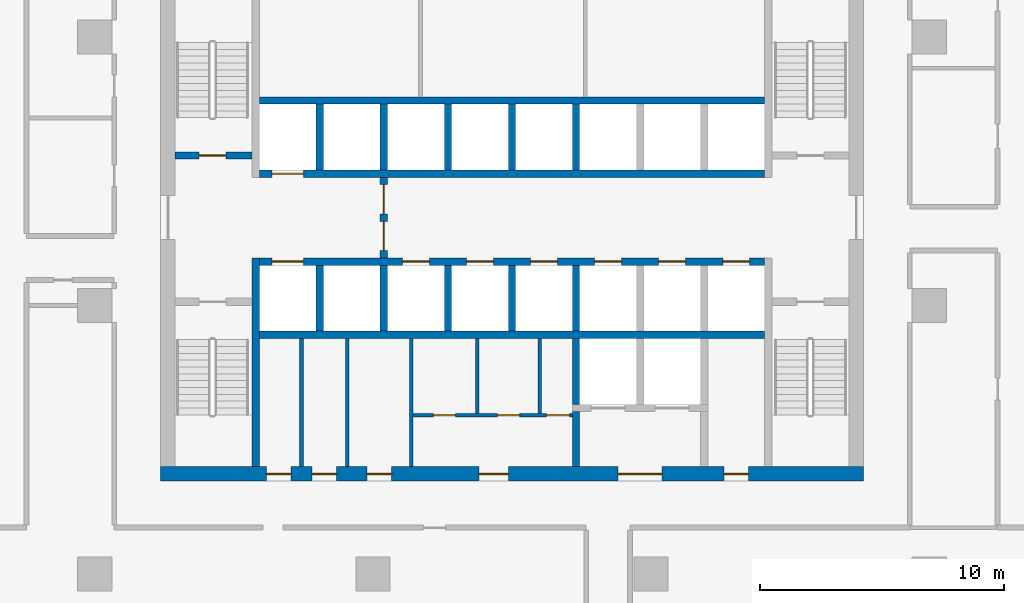
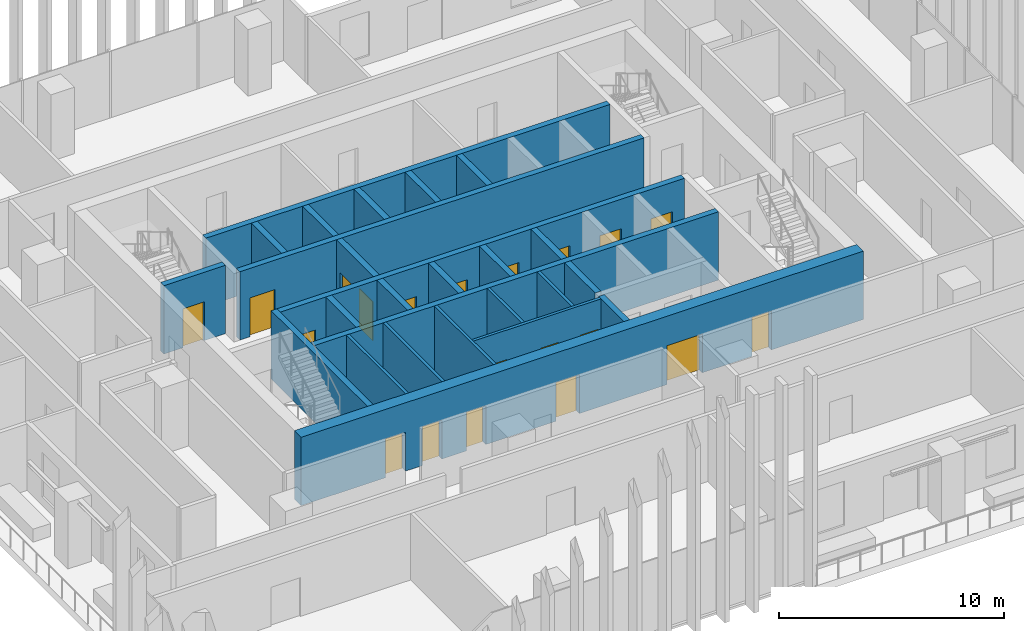
# One storey, part 8 of 16: 26 walls, 20 doors, 20 openings.
"""IFC4 building model written with IfcOpenShell, lengths in metres."""

from ifc_helpers import new_model, si_unit, direction, frame, frame_2d, origin, place, context, subcontext, project, spatial, rectangle, extrude, material, layer, layer_set, type_object, element, fill, save


model = new_model("IFC4")

# Units and contexts
model_context = context("Model", 3, precision=1e-05, world=origin(), true_north=direction((0.0, 1.0)))
body_context = subcontext(model_context, "Body", "Model", "MODEL_VIEW")
ifc_project = project(units=[si_unit("LENGTHUNIT", "METRE"), si_unit("AREAUNIT", "SQUARE_METRE"), si_unit("VOLUMEUNIT", "CUBIC_METRE"), si_unit("PLANEANGLEUNIT", "RADIAN"), si_unit("MASSUNIT", "GRAM", prefix="KILO")], contexts=[model_context])

# Site, building, storey
site_placement = place(None, origin())
site = spatial("IfcSite", under=ifc_project, at=site_placement, CompositionType="ELEMENT")
building_placement = place(site_placement, origin())
building = spatial("IfcBuilding", under=site, at=building_placement, Name="Mopane Tessera Tower", CompositionType="ELEMENT")
storey_placement = place(building_placement, frame((0.0, 0.0, 193.0)))
storey = spatial("IfcBuildingStorey", under=building, at=storey_placement, Name="L40", CompositionType="ELEMENT", Elevation=193.0)

# Walls
ifc_material_1 = material(Name="Fire-rated gypsum board partition")
ifc_layer_1 = layer(ifc_material_1, 0.14990234375)
ifc_layer_set_1 = layer_set([ifc_layer_1], Name="Fire-rated gypsum board partition")
wall_type_1 = type_object("IfcWallType", Name="Core room partition 150 mm", PredefinedType="PARTITIONING", material=ifc_layer_set_1)
for number, where, z_axis, x_axis, name in (
    (1, (-8.625, -6.60009765625, 0.0), (0.0, 0.0, 1.0), (0.0, 1.0, 0.0), "L40 Room partition"),
    (2, (-6.75, -6.60009765625, 0.0), (0.0, 0.0, 1.0), (0.0, 1.0, 0.0), "L40 Room partition"),
    (3, (-4.125, -6.60009765625, 0.0), (0.0, 0.0, 1.0), (0.0, 1.0, 0.0), "L40 Room partition"),
):
    element("IfcWall", number, at=place(storey_placement, frame(where, z_axis=z_axis, x_axis=x_axis)), inside=storey, type_object=wall_type_1, Name=name, PredefinedType="PARTITIONING", context=body_context, shape_type="SweptSolid", body=[
        extrude(rectangle(XDim=5.25, YDim=0.14990234375, at=frame_2d((2.625, 0.0))), origin(), (0.0, 0.0, 1.0), 3.699951171875),
    ])

# Wall, openings, doors
wall_1_placement = place(storey_placement, frame((-4.050048828125, -4.5, 0.0), z_axis=(0.0, 0.0, 1.0), x_axis=(1.0, 0.0, 0.0)))
wall_1 = element("IfcWall", 4, at=wall_1_placement, inside=storey, type_object=wall_type_1, Name="L40 WC partition", PredefinedType="PARTITIONING", context=body_context, shape_type="SweptSolid", body=[
    extrude(rectangle(XDim=6.525146484375, YDim=0.14990234375, at=frame_2d((3.2626953125, 0.0))), origin(), (0.0, 0.0, 1.0), 3.699951171875),
])
opening_1_placement = place(wall_1_placement, frame((0.824951171875, 0.0, 0.0)))
opening_1 = element("IfcOpeningElement", 5, at=opening_1_placement, cuts=wall_1, Name="Opening WD1", PredefinedType="OPENING", context=body_context, shape_type="SweptSolid", body=[
    extrude(rectangle(XDim=0.89990234375, YDim=2.10009765625, at=frame_2d((0.449951171875, 1.050048828125))), frame((0.0, 0.0869140625, 0.0), z_axis=(0.0, -1.0, 0.0), x_axis=(1.0, 0.0, 0.0)), (0.0, 0.0, 1.0), 0.173828125),
])
opening_2_placement = place(wall_1_placement, frame((3.45751953125, 0.0, 0.0)))
opening_2 = element("IfcOpeningElement", 6, at=opening_2_placement, cuts=wall_1, Name="Opening WD1", PredefinedType="OPENING", context=body_context, shape_type="SweptSolid", body=[
    extrude(rectangle(XDim=0.89990234375, YDim=2.10009765625, at=frame_2d((0.449951171875, 1.050048828125))), frame((0.0, 0.0869140625, 0.0), z_axis=(0.0, -1.0, 0.0), x_axis=(1.0, 0.0, 0.0)), (0.0, 0.0, 1.0), 0.173828125),
])
opening_3_placement = place(wall_1_placement, frame((5.45751953125, 0.0, 0.0)))
opening_3 = element("IfcOpeningElement", 7, at=opening_3_placement, cuts=wall_1, Name="Opening WD2", PredefinedType="OPENING", context=body_context, shape_type="SweptSolid", body=[
    extrude(rectangle(XDim=0.949951171875, YDim=2.10009765625, at=frame_2d((0.47509765625, 1.050048828125))), frame((0.0, 0.0869140625, 0.0), z_axis=(0.0, -1.0, 0.0), x_axis=(1.0, 0.0, 0.0)), (0.0, 0.0, 1.0), 0.173828125),
])
ifc_material_2 = material(Name="Timber door", Category="wood")
door_type_1 = type_object("IfcDoorType", Name="Accessible WC door 950 x 2100", OperationType="SINGLE_SWING_LEFT", PredefinedType="DOOR", material=ifc_material_2)
door_1_placement = place(opening_3_placement, origin())
door_1 = element("IfcDoor", 8, at=door_1_placement, inside=storey, type_object=door_type_1, Name="L40 Accessible WC door", OperationType="SINGLE_SWING_LEFT", OverallHeight=2.10009765625, OverallWidth=0.949951171875, PredefinedType="DOOR", context=body_context, shape_type="SweptSolid", body=[
    extrude(rectangle(XDim=0.949951171875, YDim=2.10009765625, at=frame_2d((0.47509765625, 1.050048828125))), frame((0.0, 0.02490234375, 0.0), z_axis=(0.0, -1.0, 0.0), x_axis=(1.0, 0.0, 0.0)), (0.0, 0.0, 1.0), 0.050048828125),
])
fill(opening_3, door_1)
ifc_material_3 = material(Name="Timber door", Category="wood")
door_type_2 = type_object("IfcDoorType", Name="WC cubicle door 900 x 2100", OperationType="SINGLE_SWING_LEFT", PredefinedType="DOOR", material=ifc_material_3)
door_2_placement = place(opening_1_placement, origin())
door_2 = element("IfcDoor", 9, at=door_2_placement, inside=storey, type_object=door_type_2, Name="L40 Men's WC door", OperationType="SINGLE_SWING_LEFT", OverallHeight=2.10009765625, OverallWidth=0.89990234375, PredefinedType="DOOR", context=body_context, shape_type="SweptSolid", body=[
    extrude(rectangle(XDim=0.89990234375, YDim=2.10009765625, at=frame_2d((0.449951171875, 1.050048828125))), frame((0.0, 0.02490234375, 0.0), z_axis=(0.0, -1.0, 0.0), x_axis=(1.0, 0.0, 0.0)), (0.0, 0.0, 1.0), 0.050048828125),
])
fill(opening_1, door_2)
door_3_placement = place(opening_2_placement, origin())
door_3 = element("IfcDoor", 10, at=door_3_placement, inside=storey, type_object=door_type_2, Name="L40 Women's WC door", OperationType="SINGLE_SWING_LEFT", OverallHeight=2.10009765625, OverallWidth=0.89990234375, PredefinedType="DOOR", context=body_context, shape_type="SweptSolid", body=[
    extrude(rectangle(XDim=0.89990234375, YDim=2.10009765625, at=frame_2d((0.449951171875, 1.050048828125))), frame((0.0, 0.02490234375, 0.0), z_axis=(0.0, -1.0, 0.0), x_axis=(1.0, 0.0, 0.0)), (0.0, 0.0, 1.0), 0.050048828125),
])
fill(opening_2, door_3)

# Walls
for number, where, z_axis, x_axis, name in (
    (11, (-1.425048828125, -4.425048828125, 0.0), (0.0, 0.0, 1.0), (0.0, 1.0, 0.0), "L40 WC partition"),
    (12, (1.139892578125, -4.425048828125, 0.0), (0.0, 0.0, 1.0), (0.0, 1.0, 0.0), "L40 WC partition"),
):
    element("IfcWall", number, at=place(storey_placement, frame(where, z_axis=z_axis, x_axis=x_axis)), inside=storey, type_object=wall_type_1, Name=name, PredefinedType="PARTITIONING", context=body_context, shape_type="SweptSolid", body=[
        extrude(rectangle(XDim=3.074951171875, YDim=0.14990234375, at=frame_2d((1.53759765625, 0.0))), origin(), (0.0, 0.0, 1.0), 3.699951171875),
    ])

# Wall, openings, doors
ifc_material_4 = material(Name="Concrete C70/85", Category="concrete")
ifc_layer_2 = layer(ifc_material_4, 0.60009765625)
ifc_layer_set_2 = layer_set([ifc_layer_2], Name="Concrete C70/85")
wall_type_2 = type_object("IfcWallType", Name="Core shear wall 600 mm", PredefinedType="SHEAR", material=ifc_layer_set_2)
wall_2_placement = place(storey_placement, frame((-14.39990234375, -6.89990234375, 0.0), z_axis=(0.0, 0.0, 1.0), x_axis=(1.0, 0.0, 0.0)))
wall_2 = element("IfcWall", 13, at=wall_2_placement, inside=storey, type_object=wall_type_2, Name="L40 Core wall south", PredefinedType="SHEAR", context=body_context, shape_type="SweptSolid", body=[
    extrude(rectangle(XDim=28.7998046875, YDim=0.60009765625, at=frame_2d((14.39990234375, 0.0))), origin(), (0.0, 0.0, 1.0), 3.699951171875),
])
opening_4_placement = place(wall_2_placement, frame((4.33740234375, 0.0, 0.0)))
opening_4 = element("IfcOpeningElement", 14, at=opening_4_placement, cuts=wall_2, Name="Opening RD1", PredefinedType="OPENING", context=body_context, shape_type="SweptSolid", body=[
    extrude(rectangle(XDim=1.0, YDim=2.10009765625, at=frame_2d((0.5, 1.050048828125))), frame((0.0, 0.31201171875, 0.0), z_axis=(0.0, -1.0, 0.0), x_axis=(1.0, 0.0, 0.0)), (0.0, 0.0, 1.0), 0.6240234375),
])
opening_5_placement = place(wall_2_placement, frame((6.21240234375, 0.0, 0.0)))
opening_5 = element("IfcOpeningElement", 15, at=opening_5_placement, cuts=wall_2, Name="Opening RD1", PredefinedType="OPENING", context=body_context, shape_type="SweptSolid", body=[
    extrude(rectangle(XDim=1.0, YDim=2.10009765625, at=frame_2d((0.5, 1.050048828125))), frame((0.0, 0.31201171875, 0.0), z_axis=(0.0, -1.0, 0.0), x_axis=(1.0, 0.0, 0.0)), (0.0, 0.0, 1.0), 0.6240234375),
])
opening_6_placement = place(wall_2_placement, frame((8.46240234375, 0.0, 0.0)))
opening_6 = element("IfcOpeningElement", 16, at=opening_6_placement, cuts=wall_2, Name="Opening RD1", PredefinedType="OPENING", context=body_context, shape_type="SweptSolid", body=[
    extrude(rectangle(XDim=1.0, YDim=2.10009765625, at=frame_2d((0.5, 1.050048828125))), frame((0.0, 0.31201171875, 0.0), z_axis=(0.0, -1.0, 0.0), x_axis=(1.0, 0.0, 0.0)), (0.0, 0.0, 1.0), 0.6240234375),
])
opening_7_placement = place(wall_2_placement, frame((13.050048828125, 0.0, 0.0)))
opening_7 = element("IfcOpeningElement", 17, at=opening_7_placement, cuts=wall_2, Name="Opening WD3", PredefinedType="OPENING", context=body_context, shape_type="SweptSolid", body=[
    extrude(rectangle(XDim=1.199951171875, YDim=2.10009765625, at=frame_2d((0.60009765625, 1.050048828125))), frame((0.0, 0.31201171875, 0.0), z_axis=(0.0, -1.0, 0.0), x_axis=(1.0, 0.0, 0.0)), (0.0, 0.0, 1.0), 0.6240234375),
])
opening_8_placement = place(wall_2_placement, frame((18.75, 0.0, 0.0)))
opening_8 = element("IfcOpeningElement", 18, at=opening_8_placement, cuts=wall_2, Name="Opening SD2", PredefinedType="OPENING", context=body_context, shape_type="SweptSolid", body=[
    extrude(rectangle(XDim=1.800048828125, YDim=2.10009765625, at=frame_2d((0.89990234375, 1.050048828125))), frame((0.0, 0.31201171875, 0.0), z_axis=(0.0, -1.0, 0.0), x_axis=(1.0, 0.0, 0.0)), (0.0, 0.0, 1.0), 0.6240234375),
])
opening_9_placement = place(wall_2_placement, frame((23.08740234375, 0.0, 0.0)))
opening_9 = element("IfcOpeningElement", 19, at=opening_9_placement, cuts=wall_2, Name="Opening RD1", PredefinedType="OPENING", context=body_context, shape_type="SweptSolid", body=[
    extrude(rectangle(XDim=1.0, YDim=2.10009765625, at=frame_2d((0.5, 1.050048828125))), frame((0.0, 0.31201171875, 0.0), z_axis=(0.0, -1.0, 0.0), x_axis=(1.0, 0.0, 0.0)), (0.0, 0.0, 1.0), 0.6240234375),
])
ifc_material_5 = material(Name="Steel fire door", Category="steel")
door_type_3 = type_object("IfcDoorType", Name="Core entrance double door 1800 x 2100", OperationType="DOUBLE_DOOR_SINGLE_SWING", PredefinedType="DOOR", material=ifc_material_5)
door_4_placement = place(opening_8_placement, origin())
door_4 = element("IfcDoor", 20, at=door_4_placement, inside=storey, type_object=door_type_3, Name="L40 Service lobby door", OperationType="DOUBLE_DOOR_SINGLE_SWING", OverallHeight=2.10009765625, OverallWidth=1.800048828125, PredefinedType="DOOR", context=body_context, shape_type="SweptSolid", body=[
    extrude(rectangle(XDim=1.800048828125, YDim=2.10009765625, at=frame_2d((0.89990234375, 1.050048828125))), frame((0.0, 0.02490234375, 0.0), z_axis=(0.0, -1.0, 0.0), x_axis=(1.0, 0.0, 0.0)), (0.0, 0.0, 1.0), 0.050048828125),
])
fill(opening_8, door_4)
ifc_material_6 = material(Name="Timber door", Category="wood")
door_type_4 = type_object("IfcDoorType", Name="Core room door 1000 x 2100", OperationType="SINGLE_SWING_LEFT", PredefinedType="DOOR", material=ifc_material_6)
door_5_placement = place(opening_4_placement, origin())
door_5 = element("IfcDoor", 21, at=door_5_placement, inside=storey, type_object=door_type_4, Name="L40 Room door", OperationType="SINGLE_SWING_LEFT", OverallHeight=2.10009765625, OverallWidth=1.0, PredefinedType="DOOR", context=body_context, shape_type="SweptSolid", body=[
    extrude(rectangle(XDim=1.0, YDim=2.10009765625, at=frame_2d((0.5, 1.050048828125))), frame((0.0, 0.02490234375, 0.0), z_axis=(0.0, -1.0, 0.0), x_axis=(1.0, 0.0, 0.0)), (0.0, 0.0, 1.0), 0.050048828125),
])
fill(opening_4, door_5)
door_6_placement = place(opening_5_placement, origin())
door_6 = element("IfcDoor", 22, at=door_6_placement, inside=storey, type_object=door_type_4, Name="L40 Room door", OperationType="SINGLE_SWING_LEFT", OverallHeight=2.10009765625, OverallWidth=1.0, PredefinedType="DOOR", context=body_context, shape_type="SweptSolid", body=[
    extrude(rectangle(XDim=1.0, YDim=2.10009765625, at=frame_2d((0.5, 1.050048828125))), frame((0.0, 0.02490234375, 0.0), z_axis=(0.0, -1.0, 0.0), x_axis=(1.0, 0.0, 0.0)), (0.0, 0.0, 1.0), 0.050048828125),
])
fill(opening_5, door_6)
door_7_placement = place(opening_6_placement, origin())
door_7 = element("IfcDoor", 23, at=door_7_placement, inside=storey, type_object=door_type_4, Name="L40 Room door", OperationType="SINGLE_SWING_LEFT", OverallHeight=2.10009765625, OverallWidth=1.0, PredefinedType="DOOR", context=body_context, shape_type="SweptSolid", body=[
    extrude(rectangle(XDim=1.0, YDim=2.10009765625, at=frame_2d((0.5, 1.050048828125))), frame((0.0, 0.02490234375, 0.0), z_axis=(0.0, -1.0, 0.0), x_axis=(1.0, 0.0, 0.0)), (0.0, 0.0, 1.0), 0.050048828125),
])
fill(opening_6, door_7)
door_8_placement = place(opening_9_placement, origin())
door_8 = element("IfcDoor", 24, at=door_8_placement, inside=storey, type_object=door_type_4, Name="L40 Room door", OperationType="SINGLE_SWING_LEFT", OverallHeight=2.10009765625, OverallWidth=1.0, PredefinedType="DOOR", context=body_context, shape_type="SweptSolid", body=[
    extrude(rectangle(XDim=1.0, YDim=2.10009765625, at=frame_2d((0.5, 1.050048828125))), frame((0.0, 0.02490234375, 0.0), z_axis=(0.0, -1.0, 0.0), x_axis=(1.0, 0.0, 0.0)), (0.0, 0.0, 1.0), 0.050048828125),
])
fill(opening_9, door_8)
ifc_material_7 = material(Name="Timber door", Category="wood")
door_type_5 = type_object("IfcDoorType", Name="WC lobby door 1200 x 2100", OperationType="SINGLE_SWING_LEFT", PredefinedType="DOOR", material=ifc_material_7)
door_9_placement = place(opening_7_placement, origin())
door_9 = element("IfcDoor", 25, at=door_9_placement, inside=storey, type_object=door_type_5, Name="L40 WC lobby door", OperationType="SINGLE_SWING_LEFT", OverallHeight=2.10009765625, OverallWidth=1.199951171875, PredefinedType="DOOR", context=body_context, shape_type="SweptSolid", body=[
    extrude(rectangle(XDim=1.199951171875, YDim=2.10009765625, at=frame_2d((0.60009765625, 1.050048828125))), frame((0.0, 0.02490234375, 0.0), z_axis=(0.0, -1.0, 0.0), x_axis=(1.0, 0.0, 0.0)), (0.0, 0.0, 1.0), 0.050048828125),
])
fill(opening_7, door_9)

# Wall
ifc_material_8 = material(Name="Concrete C60/75", Category="concrete")
ifc_layer_3 = layer(ifc_material_8, 0.300048828125)
ifc_layer_set_3 = layer_set([ifc_layer_3], Name="Concrete C60/75")
wall_type_3 = type_object("IfcWallType", Name="Core spine wall 300 mm", PredefinedType="SHEAR", material=ifc_layer_set_3)
wall_3_placement = place(storey_placement, frame((-10.5, -6.60009765625, 0.0), z_axis=(0.0, 0.0, 1.0), x_axis=(0.0, 1.0, 0.0)))
element("IfcWall", 26, at=wall_3_placement, inside=storey, type_object=wall_type_3, Name="L40 Core spine wall", PredefinedType="SHEAR", context=body_context, shape_type="SweptSolid", body=[
    extrude(rectangle(XDim=8.550048828125, YDim=0.300048828125, at=frame_2d((4.27490234375, 0.0))), origin(), (0.0, 0.0, 1.0), 3.699951171875),
])

# Wall, opening, door
ifc_material_9 = material(Name="Concrete C50/60", Category="concrete")
ifc_layer_4 = layer(ifc_material_9, 0.300048828125)
ifc_layer_set_4 = layer_set([ifc_layer_4], Name="Concrete C50/60")
wall_type_4 = type_object("IfcWallType", Name="Lift and stair shaft wall 300 mm", PredefinedType="SOLIDWALL", material=ifc_layer_set_4)
wall_4_placement = place(storey_placement, frame((-13.800048828125, 6.14990234375, 0.0), z_axis=(0.0, 0.0, 1.0), x_axis=(1.0, 0.0, 0.0)))
wall_4 = element("IfcWall", 27, at=wall_4_placement, inside=storey, type_object=wall_type_4, Name="L40 Stair enclosure wall", PredefinedType="SOLIDWALL", context=body_context, shape_type="SweptSolid", body=[
    extrude(rectangle(XDim=3.150146484375, YDim=0.300048828125, at=frame_2d((1.5751953125, 0.0))), origin(), (0.0, 0.0, 1.0), 3.699951171875),
])
opening_10_placement = place(wall_4_placement, frame((0.97509765625, 0.0, 0.0)))
opening_10 = element("IfcOpeningElement", 28, at=opening_10_placement, cuts=wall_4, Name="Opening SD1", PredefinedType="OPENING", context=body_context, shape_type="SweptSolid", body=[
    extrude(rectangle(XDim=1.10009765625, YDim=2.10009765625, at=frame_2d((0.550048828125, 1.050048828125))), frame((0.0, 0.162109375, 0.0), z_axis=(0.0, -1.0, 0.0), x_axis=(1.0, 0.0, 0.0)), (0.0, 0.0, 1.0), 0.323974609375),
])
ifc_material_10 = material(Name="Steel fire door", Category="steel")
door_type_6 = type_object("IfcDoorType", Name="Stair fire door 1100 x 2100", OperationType="SINGLE_SWING_LEFT", PredefinedType="DOOR", material=ifc_material_10)
door_10_placement = place(opening_10_placement, origin())
door_10 = element("IfcDoor", 29, at=door_10_placement, inside=storey, type_object=door_type_6, Name="L40 Stair door ST2", OperationType="SINGLE_SWING_LEFT", OverallHeight=2.10009765625, OverallWidth=1.10009765625, PredefinedType="DOOR", context=body_context, shape_type="SweptSolid", body=[
    extrude(rectangle(XDim=1.10009765625, YDim=2.10009765625, at=frame_2d((0.550048828125, 1.050048828125))), frame((0.0, 0.02490234375, 0.0), z_axis=(0.0, -1.0, 0.0), x_axis=(1.0, 0.0, 0.0)), (0.0, 0.0, 1.0), 0.050048828125),
])
fill(opening_10, door_10)

# Wall
wall_5_placement = place(storey_placement, frame((-10.35009765625, -1.199951171875, 0.0), z_axis=(0.0, 0.0, 1.0), x_axis=(1.0, 0.0, 0.0)))
element("IfcWall", 30, at=wall_5_placement, inside=storey, type_object=wall_type_4, Name="L40 Lift shaft rear wall", PredefinedType="SOLIDWALL", context=body_context, shape_type="SweptSolid", body=[
    extrude(rectangle(XDim=20.7001953125, YDim=0.300048828125, at=frame_2d((10.35009765625, 0.0))), origin(), (0.0, 0.0, 1.0), 3.699951171875),
])

# Wall, openings, doors
wall_6_placement = place(storey_placement, frame((-10.35009765625, 1.800048828125, 0.0), z_axis=(0.0, 0.0, 1.0), x_axis=(1.0, 0.0, 0.0)))
wall_6 = element("IfcWall", 31, at=wall_6_placement, inside=storey, type_object=wall_type_4, Name="L40 Lift shaft front wall", PredefinedType="SOLIDWALL", context=body_context, shape_type="SweptSolid", body=[
    extrude(rectangle(XDim=20.7001953125, YDim=0.300048828125, at=frame_2d((10.35009765625, 0.0))), origin(), (0.0, 0.0, 1.0), 3.699951171875),
])
opening_11_placement = place(wall_6_placement, frame((0.512451171875, 0.0, 0.0)))
opening_11 = element("IfcOpeningElement", 32, at=opening_11_placement, cuts=wall_6, Name="Opening LD2", PredefinedType="OPENING", context=body_context, shape_type="SweptSolid", body=[
    extrude(rectangle(XDim=1.300048828125, YDim=2.10009765625, at=frame_2d((0.64990234375, 1.050048828125))), frame((0.0, 0.162109375, 0.0), z_axis=(0.0, -1.0, 0.0), x_axis=(1.0, 0.0, 0.0)), (0.0, 0.0, 1.0), 0.323974609375),
])
opening_12_placement = place(wall_6_placement, frame((5.862548828125, 0.0, 0.0)))
opening_12 = element("IfcOpeningElement", 33, at=opening_12_placement, cuts=wall_6, Name="Opening LD", PredefinedType="OPENING", context=body_context, shape_type="SweptSolid", body=[
    extrude(rectangle(XDim=1.10009765625, YDim=2.10009765625, at=frame_2d((0.550048828125, 1.050048828125))), frame((0.0, 0.162109375, 0.0), z_axis=(0.0, -1.0, 0.0), x_axis=(1.0, 0.0, 0.0)), (0.0, 0.0, 1.0), 0.323974609375),
])
opening_13_placement = place(wall_6_placement, frame((8.487548828125, 0.0, 0.0)))
opening_13 = element("IfcOpeningElement", 34, at=opening_13_placement, cuts=wall_6, Name="Opening LD", PredefinedType="OPENING", context=body_context, shape_type="SweptSolid", body=[
    extrude(rectangle(XDim=1.10009765625, YDim=2.10009765625, at=frame_2d((0.550048828125, 1.050048828125))), frame((0.0, 0.162109375, 0.0), z_axis=(0.0, -1.0, 0.0), x_axis=(1.0, 0.0, 0.0)), (0.0, 0.0, 1.0), 0.323974609375),
])
opening_14_placement = place(wall_6_placement, frame((11.112548828125, 0.0, 0.0)))
opening_14 = element("IfcOpeningElement", 35, at=opening_14_placement, cuts=wall_6, Name="Opening LD", PredefinedType="OPENING", context=body_context, shape_type="SweptSolid", body=[
    extrude(rectangle(XDim=1.10009765625, YDim=2.10009765625, at=frame_2d((0.550048828125, 1.050048828125))), frame((0.0, 0.162109375, 0.0), z_axis=(0.0, -1.0, 0.0), x_axis=(1.0, 0.0, 0.0)), (0.0, 0.0, 1.0), 0.323974609375),
])
opening_15_placement = place(wall_6_placement, frame((13.737548828125, 0.0, 0.0)))
opening_15 = element("IfcOpeningElement", 36, at=opening_15_placement, cuts=wall_6, Name="Opening LD", PredefinedType="OPENING", context=body_context, shape_type="SweptSolid", body=[
    extrude(rectangle(XDim=1.10009765625, YDim=2.10009765625, at=frame_2d((0.550048828125, 1.050048828125))), frame((0.0, 0.162109375, 0.0), z_axis=(0.0, -1.0, 0.0), x_axis=(1.0, 0.0, 0.0)), (0.0, 0.0, 1.0), 0.323974609375),
])
opening_16_placement = place(wall_6_placement, frame((16.362548828125, 0.0, 0.0)))
opening_16 = element("IfcOpeningElement", 37, at=opening_16_placement, cuts=wall_6, Name="Opening LD", PredefinedType="OPENING", context=body_context, shape_type="SweptSolid", body=[
    extrude(rectangle(XDim=1.10009765625, YDim=2.10009765625, at=frame_2d((0.550048828125, 1.050048828125))), frame((0.0, 0.162109375, 0.0), z_axis=(0.0, -1.0, 0.0), x_axis=(1.0, 0.0, 0.0)), (0.0, 0.0, 1.0), 0.323974609375),
])
opening_17_placement = place(wall_6_placement, frame((18.987548828125, 0.0, 0.0)))
opening_17 = element("IfcOpeningElement", 38, at=opening_17_placement, cuts=wall_6, Name="Opening LD", PredefinedType="OPENING", context=body_context, shape_type="SweptSolid", body=[
    extrude(rectangle(XDim=1.10009765625, YDim=2.10009765625, at=frame_2d((0.550048828125, 1.050048828125))), frame((0.0, 0.162109375, 0.0), z_axis=(0.0, -1.0, 0.0), x_axis=(1.0, 0.0, 0.0)), (0.0, 0.0, 1.0), 0.323974609375),
])
ifc_material_11 = material(Name="Stainless steel sliding door", Category="steel")
door_type_7 = type_object("IfcDoorType", Name="Fire-fighting lift landing door 1300 x 2100", OperationType="DOUBLE_DOOR_SLIDING", PredefinedType="DOOR", material=ifc_material_11)
door_11_placement = place(opening_11_placement, origin())
door_11 = element("IfcDoor", 39, at=door_11_placement, inside=storey, type_object=door_type_7, Name="L40 Lift landing door FF1", OperationType="DOUBLE_DOOR_SLIDING", OverallHeight=2.10009765625, OverallWidth=1.300048828125, PredefinedType="DOOR", context=body_context, shape_type="SweptSolid", body=[
    extrude(rectangle(XDim=1.300048828125, YDim=2.10009765625, at=frame_2d((0.64990234375, 1.050048828125))), frame((0.0, 0.02490234375, 0.0), z_axis=(0.0, -1.0, 0.0), x_axis=(1.0, 0.0, 0.0)), (0.0, 0.0, 1.0), 0.050048828125),
])
fill(opening_11, door_11)
ifc_material_12 = material(Name="Stainless steel sliding door", Category="steel")
door_type_8 = type_object("IfcDoorType", Name="Lift landing door 1100 x 2100", OperationType="DOUBLE_DOOR_SLIDING", PredefinedType="DOOR", material=ifc_material_12)
door_12_placement = place(opening_12_placement, origin())
door_12 = element("IfcDoor", 40, at=door_12_placement, inside=storey, type_object=door_type_8, Name="L40 Lift landing door LR1", OperationType="DOUBLE_DOOR_SLIDING", OverallHeight=2.10009765625, OverallWidth=1.10009765625, PredefinedType="DOOR", context=body_context, shape_type="SweptSolid", body=[
    extrude(rectangle(XDim=1.10009765625, YDim=2.10009765625, at=frame_2d((0.550048828125, 1.050048828125))), frame((0.0, 0.02490234375, 0.0), z_axis=(0.0, -1.0, 0.0), x_axis=(1.0, 0.0, 0.0)), (0.0, 0.0, 1.0), 0.050048828125),
])
fill(opening_12, door_12)
door_13_placement = place(opening_13_placement, origin())
door_13 = element("IfcDoor", 41, at=door_13_placement, inside=storey, type_object=door_type_8, Name="L40 Lift landing door LR2", OperationType="DOUBLE_DOOR_SLIDING", OverallHeight=2.10009765625, OverallWidth=1.10009765625, PredefinedType="DOOR", context=body_context, shape_type="SweptSolid", body=[
    extrude(rectangle(XDim=1.10009765625, YDim=2.10009765625, at=frame_2d((0.550048828125, 1.050048828125))), frame((0.0, 0.02490234375, 0.0), z_axis=(0.0, -1.0, 0.0), x_axis=(1.0, 0.0, 0.0)), (0.0, 0.0, 1.0), 0.050048828125),
])
fill(opening_13, door_13)
door_14_placement = place(opening_14_placement, origin())
door_14 = element("IfcDoor", 42, at=door_14_placement, inside=storey, type_object=door_type_8, Name="L40 Lift landing door LR3", OperationType="DOUBLE_DOOR_SLIDING", OverallHeight=2.10009765625, OverallWidth=1.10009765625, PredefinedType="DOOR", context=body_context, shape_type="SweptSolid", body=[
    extrude(rectangle(XDim=1.10009765625, YDim=2.10009765625, at=frame_2d((0.550048828125, 1.050048828125))), frame((0.0, 0.02490234375, 0.0), z_axis=(0.0, -1.0, 0.0), x_axis=(1.0, 0.0, 0.0)), (0.0, 0.0, 1.0), 0.050048828125),
])
fill(opening_14, door_14)
door_15_placement = place(opening_15_placement, origin())
door_15 = element("IfcDoor", 43, at=door_15_placement, inside=storey, type_object=door_type_8, Name="L40 Lift landing door LR4", OperationType="DOUBLE_DOOR_SLIDING", OverallHeight=2.10009765625, OverallWidth=1.10009765625, PredefinedType="DOOR", context=body_context, shape_type="SweptSolid", body=[
    extrude(rectangle(XDim=1.10009765625, YDim=2.10009765625, at=frame_2d((0.550048828125, 1.050048828125))), frame((0.0, 0.02490234375, 0.0), z_axis=(0.0, -1.0, 0.0), x_axis=(1.0, 0.0, 0.0)), (0.0, 0.0, 1.0), 0.050048828125),
])
fill(opening_15, door_15)
door_16_placement = place(opening_16_placement, origin())
door_16 = element("IfcDoor", 44, at=door_16_placement, inside=storey, type_object=door_type_8, Name="L40 Lift landing door LR5", OperationType="DOUBLE_DOOR_SLIDING", OverallHeight=2.10009765625, OverallWidth=1.10009765625, PredefinedType="DOOR", context=body_context, shape_type="SweptSolid", body=[
    extrude(rectangle(XDim=1.10009765625, YDim=2.10009765625, at=frame_2d((0.550048828125, 1.050048828125))), frame((0.0, 0.02490234375, 0.0), z_axis=(0.0, -1.0, 0.0), x_axis=(1.0, 0.0, 0.0)), (0.0, 0.0, 1.0), 0.050048828125),
])
fill(opening_16, door_16)
door_17_placement = place(opening_17_placement, origin())
door_17 = element("IfcDoor", 45, at=door_17_placement, inside=storey, type_object=door_type_8, Name="L40 Lift landing door LR6", OperationType="DOUBLE_DOOR_SLIDING", OverallHeight=2.10009765625, OverallWidth=1.10009765625, PredefinedType="DOOR", context=body_context, shape_type="SweptSolid", body=[
    extrude(rectangle(XDim=1.10009765625, YDim=2.10009765625, at=frame_2d((0.550048828125, 1.050048828125))), frame((0.0, 0.02490234375, 0.0), z_axis=(0.0, -1.0, 0.0), x_axis=(1.0, 0.0, 0.0)), (0.0, 0.0, 1.0), 0.050048828125),
])
fill(opening_17, door_17)

# Wall, opening, door
wall_7_placement = place(storey_placement, frame((-10.35009765625, 5.39990234375, 0.0), z_axis=(0.0, 0.0, 1.0), x_axis=(1.0, 0.0, 0.0)))
wall_7 = element("IfcWall", 46, at=wall_7_placement, inside=storey, type_object=wall_type_4, Name="L40 Lift shaft front wall", PredefinedType="SOLIDWALL", context=body_context, shape_type="SweptSolid", body=[
    extrude(rectangle(XDim=20.7001953125, YDim=0.300048828125, at=frame_2d((10.35009765625, 0.0))), origin(), (0.0, 0.0, 1.0), 3.699951171875),
])
opening_18_placement = place(wall_7_placement, frame((0.512451171875, 0.0, 0.0)))
opening_18 = element("IfcOpeningElement", 47, at=opening_18_placement, cuts=wall_7, Name="Opening LD2", PredefinedType="OPENING", context=body_context, shape_type="SweptSolid", body=[
    extrude(rectangle(XDim=1.300048828125, YDim=2.10009765625, at=frame_2d((0.64990234375, 1.050048828125))), frame((0.0, 0.162109375, 0.0), z_axis=(0.0, -1.0, 0.0), x_axis=(1.0, 0.0, 0.0)), (0.0, 0.0, 1.0), 0.323974609375),
])
door_18_placement = place(opening_18_placement, origin())
door_18 = element("IfcDoor", 48, at=door_18_placement, inside=storey, type_object=door_type_7, Name="L40 Lift landing door FF2", OperationType="DOUBLE_DOOR_SLIDING", OverallHeight=2.10009765625, OverallWidth=1.300048828125, PredefinedType="DOOR", context=body_context, shape_type="SweptSolid", body=[
    extrude(rectangle(XDim=1.300048828125, YDim=2.10009765625, at=frame_2d((0.64990234375, 1.050048828125))), frame((0.0, 0.02490234375, 0.0), z_axis=(0.0, -1.0, 0.0), x_axis=(1.0, 0.0, 0.0)), (0.0, 0.0, 1.0), 0.050048828125),
])
fill(opening_18, door_18)

# Walls
wall_8_placement = place(storey_placement, frame((-10.35009765625, 8.39990234375, 0.0), z_axis=(0.0, 0.0, 1.0), x_axis=(1.0, 0.0, 0.0)))
element("IfcWall", 49, at=wall_8_placement, inside=storey, type_object=wall_type_4, Name="L40 Lift shaft rear wall", PredefinedType="SOLIDWALL", context=body_context, shape_type="SweptSolid", body=[
    extrude(rectangle(XDim=20.7001953125, YDim=0.300048828125, at=frame_2d((10.35009765625, 0.0))), origin(), (0.0, 0.0, 1.0), 3.699951171875),
])
for number, where, z_axis, x_axis, name in (
    (50, (-7.875, -1.050048828125, 0.0), (0.0, 0.0, 1.0), (0.0, 1.0, 0.0), "L40 Lift shaft wall"),
    (51, (-5.25, -1.050048828125, 0.0), (0.0, 0.0, 1.0), (0.0, 1.0, 0.0), "L40 Lift shaft wall"),
    (52, (-2.625, -1.050048828125, 0.0), (0.0, 0.0, 1.0), (0.0, 1.0, 0.0), "L40 Lift shaft wall"),
    (53, (0.0, -1.050048828125, 0.0), (0.0, 0.0, 1.0), (0.0, 1.0, 0.0), "L40 Lift shaft wall"),
    (54, (2.625, -1.050048828125, 0.0), (0.0, 0.0, 1.0), (0.0, 1.0, 0.0), "L40 Lift shaft wall"),
    (55, (-7.875, 5.550048828125, 0.0), (0.0, 0.0, 1.0), (0.0, 1.0, 0.0), "L40 Lift shaft wall"),
    (56, (-5.25, 5.550048828125, 0.0), (0.0, 0.0, 1.0), (0.0, 1.0, 0.0), "L40 Lift shaft wall"),
    (57, (-2.625, 5.550048828125, 0.0), (0.0, 0.0, 1.0), (0.0, 1.0, 0.0), "L40 Lift shaft wall"),
    (58, (0.0, 5.550048828125, 0.0), (0.0, 0.0, 1.0), (0.0, 1.0, 0.0), "L40 Lift shaft wall"),
    (59, (2.625, 5.550048828125, 0.0), (0.0, 0.0, 1.0), (0.0, 1.0, 0.0), "L40 Lift shaft wall"),
    (60, (2.625, -4.050048828125, 0.0), (0.0, 0.0, 1.0), (0.0, 1.0, 0.0), "L40 Lift shaft wall"),
):
    element("IfcWall", number, at=place(storey_placement, frame(where, z_axis=z_axis, x_axis=x_axis)), inside=storey, type_object=wall_type_4, Name=name, PredefinedType="SOLIDWALL", context=body_context, shape_type="SweptSolid", body=[
        extrude(rectangle(XDim=2.699951171875, YDim=0.300048828125, at=frame_2d((1.35009765625, 0.0))), origin(), (0.0, 0.0, 1.0), 3.699951171875),
    ])

# Wall, openings, doors
ifc_material_13 = material(Name="Concrete C50/60", Category="concrete")
ifc_layer_5 = layer(ifc_material_13, 0.300048828125)
ifc_layer_set_5 = layer_set([ifc_layer_5], Name="Concrete C50/60")
wall_type_5 = type_object("IfcWallType", Name="Lobby and refuge room wall 300 mm", PredefinedType="SOLIDWALL", material=ifc_layer_set_5)
wall_9_placement = place(storey_placement, frame((-5.25, 1.949951171875, 0.0), z_axis=(0.0, 0.0, 1.0), x_axis=(0.0, 1.0, 0.0)))
wall_9 = element("IfcWall", 61, at=wall_9_placement, inside=storey, type_object=wall_type_5, Name="L40 Fire-fighting lobby wall", PredefinedType="SOLIDWALL", context=body_context, shape_type="SweptSolid", body=[
    extrude(rectangle(XDim=3.300048828125, YDim=0.300048828125, at=frame_2d((1.64990234375, 0.0))), origin(), (0.0, 0.0, 1.0), 3.699951171875),
])
opening_19_placement = place(wall_9_placement, frame((0.300048828125, 0.0, 0.0)))
opening_19 = element("IfcOpeningElement", 62, at=opening_19_placement, cuts=wall_9, Name="Opening SD3", PredefinedType="OPENING", context=body_context, shape_type="SweptSolid", body=[
    extrude(rectangle(XDim=1.199951171875, YDim=2.10009765625, at=frame_2d((0.60009765625, 1.050048828125))), frame((0.0, 0.162109375, 0.0), z_axis=(0.0, -1.0, 0.0), x_axis=(1.0, 0.0, 0.0)), (0.0, 0.0, 1.0), 0.323974609375),
])
opening_20_placement = place(wall_9_placement, frame((1.800048828125, 0.0, 0.0)))
opening_20 = element("IfcOpeningElement", 63, at=opening_20_placement, cuts=wall_9, Name="Opening SD3", PredefinedType="OPENING", context=body_context, shape_type="SweptSolid", body=[
    extrude(rectangle(XDim=1.199951171875, YDim=2.10009765625, at=frame_2d((0.60009765625, 1.050048828125))), frame((0.0, 0.162109375, 0.0), z_axis=(0.0, -1.0, 0.0), x_axis=(1.0, 0.0, 0.0)), (0.0, 0.0, 1.0), 0.323974609375),
])
ifc_material_14 = material(Name="Steel fire door", Category="steel")
door_type_9 = type_object("IfcDoorType", Name="Lobby fire door 1200 x 2100", OperationType="SINGLE_SWING_LEFT", PredefinedType="DOOR", material=ifc_material_14)
door_19_placement = place(opening_19_placement, origin())
door_19 = element("IfcDoor", 64, at=door_19_placement, inside=storey, type_object=door_type_9, Name="L40 Fire-fighting lobby door", OperationType="SINGLE_SWING_LEFT", OverallHeight=2.10009765625, OverallWidth=1.199951171875, PredefinedType="DOOR", context=body_context, shape_type="SweptSolid", body=[
    extrude(rectangle(XDim=1.199951171875, YDim=2.10009765625, at=frame_2d((0.60009765625, 1.050048828125))), frame((0.0, 0.02490234375, 0.0), z_axis=(0.0, -1.0, 0.0), x_axis=(1.0, 0.0, 0.0)), (0.0, 0.0, 1.0), 0.050048828125),
])
fill(opening_19, door_19)
door_20_placement = place(opening_20_placement, origin())
door_20 = element("IfcDoor", 65, at=door_20_placement, inside=storey, type_object=door_type_9, Name="L40 Fire-fighting lobby door", OperationType="SINGLE_SWING_RIGHT", OverallHeight=2.10009765625, OverallWidth=1.199951171875, PredefinedType="DOOR", context=body_context, shape_type="SweptSolid", body=[
    extrude(rectangle(XDim=1.199951171875, YDim=2.10009765625, at=frame_2d((0.60009765625, 1.050048828125))), frame((0.0, 0.02490234375, 0.0), z_axis=(0.0, -1.0, 0.0), x_axis=(1.0, 0.0, 0.0)), (0.0, 0.0, 1.0), 0.050048828125),
])
fill(opening_20, door_20)

# Wall
wall_10_placement = place(storey_placement, frame((2.625, -6.60009765625, 0.0), z_axis=(0.0, 0.0, 1.0), x_axis=(0.0, 1.0, 0.0)))
element("IfcWall", 66, at=wall_10_placement, inside=storey, type_object=wall_type_5, Name="L40 Service lobby wall", PredefinedType="SOLIDWALL", context=body_context, shape_type="SweptSolid", body=[
    extrude(rectangle(XDim=2.25, YDim=0.300048828125, at=frame_2d((1.125, 0.0))), origin(), (0.0, 0.0, 1.0), 3.699951171875),
])

save(model, "model.ifc")
